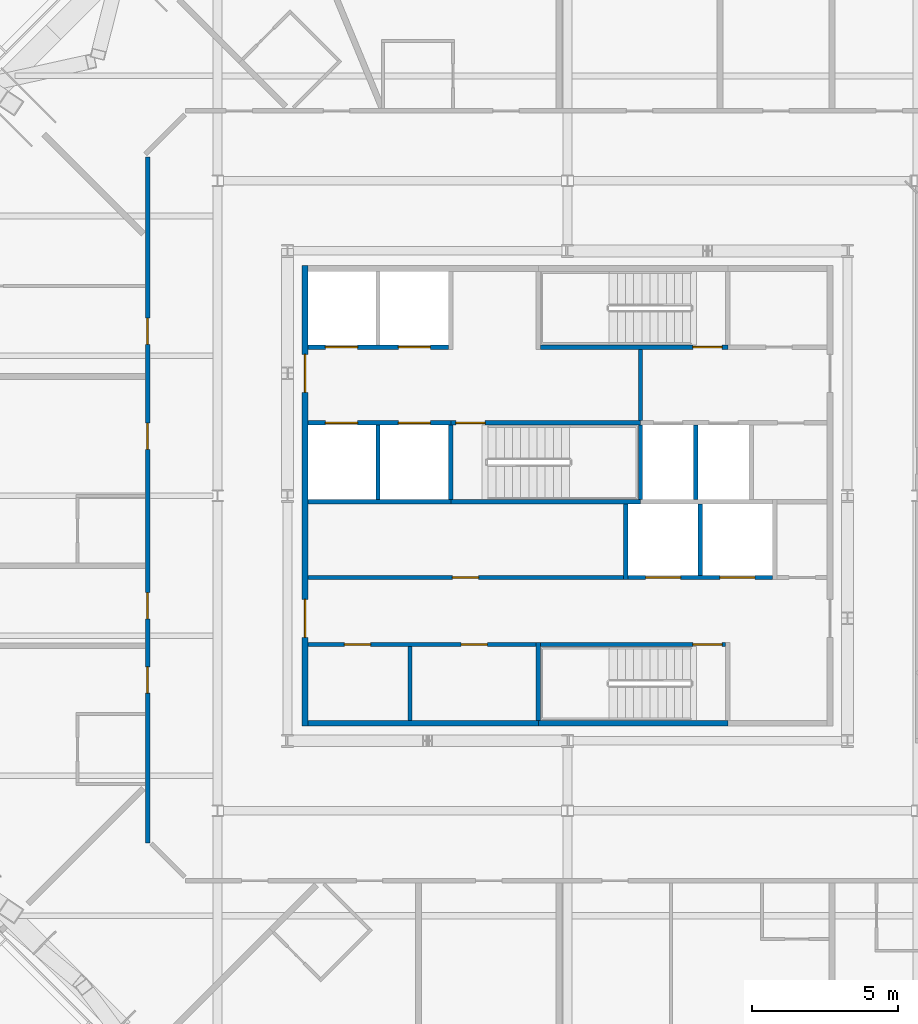
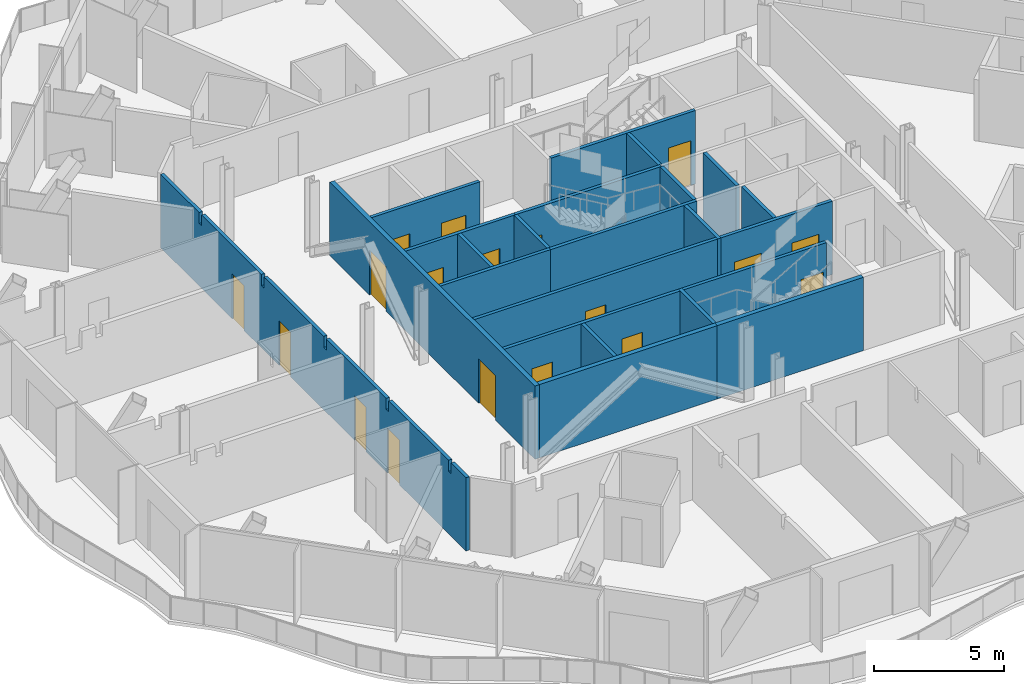
# One storey, part 8 of 19: 23 walls, 18 doors, 18 openings.
"""IFC4 building model written with IfcOpenShell, lengths in metres."""

from ifc_helpers import new_model, si_unit, direction, frame, frame_2d, origin, place, context, subcontext, project, spatial, polyline, rectangle, outline, extrude, material, layer, layer_set, type_object, element, fill, save


model = new_model("IFC4")

# Units and contexts
model_context = context("Model", 3, precision=1e-05, world=origin(), true_north=direction((0.0, 1.0)))
body_context = subcontext(model_context, "Body", "Model", "MODEL_VIEW")
ifc_project = project(units=[si_unit("LENGTHUNIT", "METRE"), si_unit("AREAUNIT", "SQUARE_METRE"), si_unit("VOLUMEUNIT", "CUBIC_METRE"), si_unit("PLANEANGLEUNIT", "RADIAN"), si_unit("MASSUNIT", "GRAM", prefix="KILO")], contexts=[model_context])

# Site, building, storey
site_placement = place(None, origin())
site = spatial("IfcSite", under=ifc_project, at=site_placement, CompositionType="ELEMENT")
building_placement = place(site_placement, origin())
building = spatial("IfcBuilding", under=site, at=building_placement, Name="Cairn Pilgrim Tower", CompositionType="ELEMENT")
storey_placement = place(building_placement, frame((0.0, 0.0, 186.60009765625)))
storey = spatial("IfcBuildingStorey", under=building, at=storey_placement, Name="L47", CompositionType="ELEMENT", Elevation=186.60009765625)

# Wall
ifc_material_1 = material(Name="Concrete C32/40", Category="concrete")
ifc_layer_1 = layer(ifc_material_1, 0.199951171875)
ifc_layer_set_1 = layer_set([ifc_layer_1], Name="CORE OUTER WALL 200 EI 120")
wall_type_1 = type_object("IfcWallType", Name="CORE OUTER WALL 200 EI 120", PredefinedType="SOLIDWALL", material=ifc_layer_set_1)
wall_1_placement = place(storey_placement, frame((-1.699951171875, -5.39990234375, 0.0), z_axis=(0.0, 0.0, 1.0), x_axis=(1.0, 0.0, 0.0)))
element("IfcWall", 1, at=wall_1_placement, inside=storey, type_object=wall_type_1, Name="CW:L47:H01-1", PredefinedType="SOLIDWALL", context=body_context, shape_type="SweptSolid", body=[
    extrude(rectangle(XDim=7.89990234375, YDim=0.199951171875, at=frame_2d((3.949951171875, 0.0))), origin(), (0.0, 0.0, 1.0), 3.449951171875),
])

# Wall, openings, doors
wall_2_placement = place(storey_placement, frame((-1.800048828125, -5.5, 0.0), z_axis=(0.0, 0.0, 1.0), x_axis=(0.0, 1.0, 0.0)))
wall_2 = element("IfcWall", 2, at=wall_2_placement, inside=storey, type_object=wall_type_1, Name="CW:L47:V13", PredefinedType="SOLIDWALL", context=body_context, shape_type="SweptSolid", body=[
    extrude(rectangle(XDim=15.800048828125, YDim=0.199951171875, at=frame_2d((7.89990234375, 0.0))), origin(), (0.0, 0.0, 1.0), 3.449951171875),
])
opening_1_placement = place(wall_2_placement, frame((3.050048828125, 0.0, 0.0)))
opening_1 = element("IfcOpeningElement", 3, at=opening_1_placement, cuts=wall_2, Name="Opening CD-W1", PredefinedType="OPENING", context=body_context, shape_type="SweptSolid", body=[
    extrude(rectangle(XDim=1.300048828125, YDim=2.10009765625, at=frame_2d((0.64990234375, 1.050048828125))), frame((0.0, 0.10986328125, 0.0), z_axis=(0.0, -1.0, 0.0), x_axis=(1.0, 0.0, 0.0)), (0.0, 0.0, 1.0), 0.219970703125),
])
opening_2_placement = place(wall_2_placement, frame((11.449951171875, 0.0, 0.0)))
opening_2 = element("IfcOpeningElement", 4, at=opening_2_placement, cuts=wall_2, Name="Opening CD-W2", PredefinedType="OPENING", context=body_context, shape_type="SweptSolid", body=[
    extrude(rectangle(XDim=1.300048828125, YDim=2.10009765625, at=frame_2d((0.64990234375, 1.050048828125))), frame((0.0, 0.10986328125, 0.0), z_axis=(0.0, -1.0, 0.0), x_axis=(1.0, 0.0, 0.0)), (0.0, 0.0, 1.0), 0.219970703125),
])
ifc_material_2 = material(Name="Painted steel", Category="steel")
door_type_1 = type_object("IfcDoorType", Name="CORE LOBBY DOOR 1300x2100", OperationType="DOUBLE_DOOR_SINGLE_SWING", PredefinedType="DOOR", material=ifc_material_2)
door_1_placement = place(opening_1_placement, origin())
door_1 = element("IfcDoor", 5, at=door_1_placement, inside=storey, type_object=door_type_1, Name="CD-W1", OperationType="DOUBLE_DOOR_SINGLE_SWING", OverallHeight=2.10009765625, OverallWidth=1.300048828125, PredefinedType="DOOR", context=body_context, shape_type="SweptSolid", body=[
    extrude(rectangle(XDim=1.300048828125, YDim=2.10009765625, at=frame_2d((0.64990234375, 1.050048828125))), frame((0.0, 0.02490234375, 0.0), z_axis=(0.0, -1.0, 0.0), x_axis=(1.0, 0.0, 0.0)), (0.0, 0.0, 1.0), 0.050048828125),
])
fill(opening_1, door_1)
door_2_placement = place(opening_2_placement, origin())
door_2 = element("IfcDoor", 6, at=door_2_placement, inside=storey, type_object=door_type_1, Name="CD-W2", OperationType="DOUBLE_DOOR_SINGLE_SWING", OverallHeight=2.10009765625, OverallWidth=1.300048828125, PredefinedType="DOOR", context=body_context, shape_type="SweptSolid", body=[
    extrude(rectangle(XDim=1.300048828125, YDim=2.10009765625, at=frame_2d((0.64990234375, 1.050048828125))), frame((0.0, 0.02490234375, 0.0), z_axis=(0.0, -1.0, 0.0), x_axis=(1.0, 0.0, 0.0)), (0.0, 0.0, 1.0), 0.050048828125),
])
fill(opening_2, door_2)

ifc_layer_2 = layer(ifc_material_1, 0.14990234375)
ifc_layer_set_2 = layer_set([ifc_layer_2], Name="CORE PARTITION 150 EI 60")
wall_type_2 = type_object("IfcWallType", Name="CORE PARTITION 150 EI 60", PredefinedType="PARTITIONING", material=ifc_layer_set_2)
wall_3_placement = place(storey_placement, frame((-1.699951171875, -2.699951171875, 0.0), z_axis=(0.0, 0.0, 1.0), x_axis=(1.0, 0.0, 0.0)))
wall_3 = element("IfcWall", 7, at=wall_3_placement, inside=storey, type_object=wall_type_2, Name="CW:L47:H02", PredefinedType="PARTITIONING", context=body_context, shape_type="SweptSolid", body=[
    extrude(rectangle(XDim=7.824951171875, YDim=0.14990234375, at=frame_2d((3.91259765625, 0.0))), origin(), (0.0, 0.0, 1.0), 3.449951171875),
])
opening_3_placement = place(wall_3_placement, frame((1.25, 0.0, 0.0)))
opening_3 = element("IfcOpeningElement", 8, at=opening_3_placement, cuts=wall_3, Name="Opening RD-R1W1", PredefinedType="OPENING", context=body_context, shape_type="SweptSolid", body=[
    extrude(rectangle(XDim=0.89990234375, YDim=2.10009765625, at=frame_2d((0.449951171875, 1.050048828125))), frame((0.0, 0.0849609375, 0.0), z_axis=(0.0, -1.0, 0.0), x_axis=(1.0, 0.0, 0.0)), (0.0, 0.0, 1.0), 0.169921875),
])
opening_4_placement = place(wall_3_placement, frame((5.25, 0.0, 0.0)))
opening_4 = element("IfcOpeningElement", 9, at=opening_4_placement, cuts=wall_3, Name="Opening RD-R1W2", PredefinedType="OPENING", context=body_context, shape_type="SweptSolid", body=[
    extrude(rectangle(XDim=0.89990234375, YDim=2.10009765625, at=frame_2d((0.449951171875, 1.050048828125))), frame((0.0, 0.0849609375, 0.0), z_axis=(0.0, -1.0, 0.0), x_axis=(1.0, 0.0, 0.0)), (0.0, 0.0, 1.0), 0.169921875),
])
door_type_2 = type_object("IfcDoorType", Name="SERVICE ROOM DOOR 900x2100", OperationType="SINGLE_SWING_LEFT", PredefinedType="DOOR", material=ifc_material_2)
door_3_placement = place(opening_3_placement, origin())
door_3 = element("IfcDoor", 10, at=door_3_placement, inside=storey, type_object=door_type_2, Name="RD-R1W1", OperationType="SINGLE_SWING_RIGHT", OverallHeight=2.10009765625, OverallWidth=0.89990234375, PredefinedType="DOOR", context=body_context, shape_type="SweptSolid", body=[
    extrude(rectangle(XDim=0.89990234375, YDim=2.10009765625, at=frame_2d((0.449951171875, 1.050048828125))), frame((0.0, 0.02490234375, 0.0), z_axis=(0.0, -1.0, 0.0), x_axis=(1.0, 0.0, 0.0)), (0.0, 0.0, 1.0), 0.050048828125),
])
fill(opening_3, door_3)
door_4_placement = place(opening_4_placement, origin())
door_4 = element("IfcDoor", 11, at=door_4_placement, inside=storey, type_object=door_type_2, Name="RD-R1W2", OperationType="SINGLE_SWING_LEFT", OverallHeight=2.10009765625, OverallWidth=0.89990234375, PredefinedType="DOOR", context=body_context, shape_type="SweptSolid", body=[
    extrude(rectangle(XDim=0.89990234375, YDim=2.10009765625, at=frame_2d((0.449951171875, 1.050048828125))), frame((0.0, 0.02490234375, 0.0), z_axis=(0.0, -1.0, 0.0), x_axis=(1.0, 0.0, 0.0)), (0.0, 0.0, 1.0), 0.050048828125),
])
fill(opening_4, door_4)

# Wall, opening, door
wall_4_placement = place(storey_placement, frame((-1.699951171875, -0.39990234375, 0.0), z_axis=(0.0, 0.0, 1.0), x_axis=(1.0, 0.0, 0.0)))
wall_4 = element("IfcWall", 12, at=wall_4_placement, inside=storey, type_object=wall_type_2, Name="CW:L47:H04", PredefinedType="PARTITIONING", context=body_context, shape_type="SweptSolid", body=[
    extrude(rectangle(XDim=10.824951171875, YDim=0.14990234375, at=frame_2d((5.41259765625, 0.0))), origin(), (0.0, 0.0, 1.0), 3.449951171875),
])
opening_5_placement = place(wall_4_placement, frame((4.949951171875, 0.0, 0.0)))
opening_5 = element("IfcOpeningElement", 13, at=opening_5_placement, cuts=wall_4, Name="Opening RD-R2W1", PredefinedType="OPENING", context=body_context, shape_type="SweptSolid", body=[
    extrude(rectangle(XDim=0.89990234375, YDim=2.10009765625, at=frame_2d((0.449951171875, 1.050048828125))), frame((0.0, 0.0849609375, 0.0), z_axis=(0.0, -1.0, 0.0), x_axis=(1.0, 0.0, 0.0)), (0.0, 0.0, 1.0), 0.169921875),
])
door_5_placement = place(opening_5_placement, origin())
door_5 = element("IfcDoor", 14, at=door_5_placement, inside=storey, type_object=door_type_2, Name="RD-R2W1", OperationType="SINGLE_SWING_RIGHT", OverallHeight=2.10009765625, OverallWidth=0.89990234375, PredefinedType="DOOR", context=body_context, shape_type="SweptSolid", body=[
    extrude(rectangle(XDim=0.89990234375, YDim=2.10009765625, at=frame_2d((0.449951171875, 1.050048828125))), frame((0.0, 0.02490234375, 0.0), z_axis=(0.0, -1.0, 0.0), x_axis=(1.0, 0.0, 0.0)), (0.0, 0.0, 1.0), 0.050048828125),
])
fill(opening_5, door_5)

# Wall
wall_5_placement = place(storey_placement, frame((1.800048828125, -5.300048828125, 0.0), z_axis=(0.0, 0.0, 1.0), x_axis=(0.0, 1.0, 0.0)))
element("IfcWall", 15, at=wall_5_placement, inside=storey, type_object=wall_type_2, Name="CW:L47:V16", PredefinedType="PARTITIONING", context=body_context, shape_type="SweptSolid", body=[
    extrude(rectangle(XDim=2.525146484375, YDim=0.14990234375, at=frame_2d((1.2626953125, 0.0))), origin(), (0.0, 0.0, 1.0), 3.449951171875),
])

# Wall, openings, doors
ifc_layer_3 = layer(ifc_material_1, 0.14990234375)
ifc_layer_set_3 = layer_set([ifc_layer_3], Name="CORE SHAFT WALL 150 EI 120")
wall_type_3 = type_object("IfcWallType", Name="CORE SHAFT WALL 150 EI 120", PredefinedType="SOLIDWALL", material=ifc_layer_set_3)
wall_6_placement = place(storey_placement, frame((9.27490234375, -0.39990234375, 0.0), z_axis=(0.0, 0.0, 1.0), x_axis=(1.0, 0.0, 0.0)))
wall_6 = element("IfcWall", 16, at=wall_6_placement, inside=storey, type_object=wall_type_3, Name="CW:L47:H05", PredefinedType="SOLIDWALL", context=body_context, shape_type="SweptSolid", body=[
    extrude(rectangle(XDim=4.9501953125, YDim=0.14990234375, at=frame_2d((2.47509765625, 0.0))), origin(), (0.0, 0.0, 1.0), 3.449951171875),
])
opening_6_placement = place(wall_6_placement, frame((0.60009765625, 0.0, 0.0)))
opening_6 = element("IfcOpeningElement", 17, at=opening_6_placement, cuts=wall_6, Name="Opening LD-SV1", PredefinedType="OPENING", context=body_context, shape_type="SweptSolid", body=[
    extrude(rectangle(XDim=1.199951171875, YDim=2.10009765625, at=frame_2d((0.60009765625, 1.050048828125))), frame((0.0, 0.0849609375, 0.0), z_axis=(0.0, -1.0, 0.0), x_axis=(1.0, 0.0, 0.0)), (0.0, 0.0, 1.0), 0.169921875),
])
opening_7_placement = place(wall_6_placement, frame((3.14990234375, 0.0, 0.0)))
opening_7 = element("IfcOpeningElement", 18, at=opening_7_placement, cuts=wall_6, Name="Opening LD-SV2", PredefinedType="OPENING", context=body_context, shape_type="SweptSolid", body=[
    extrude(rectangle(XDim=1.199951171875, YDim=2.10009765625, at=frame_2d((0.60009765625, 1.050048828125))), frame((0.0, 0.0849609375, 0.0), z_axis=(0.0, -1.0, 0.0), x_axis=(1.0, 0.0, 0.0)), (0.0, 0.0, 1.0), 0.169921875),
])
ifc_material_3 = material(Name="Stainless steel", Category="steel")
door_type_3 = type_object("IfcDoorType", Name="LIFT LANDING DOOR 1200x2100", OperationType="DOUBLE_DOOR_SLIDING", PredefinedType="DOOR", material=ifc_material_3)
door_6_placement = place(opening_6_placement, origin())
door_6 = element("IfcDoor", 19, at=door_6_placement, inside=storey, type_object=door_type_3, Name="LANDING DOOR SV1", OperationType="DOUBLE_DOOR_SLIDING", OverallHeight=2.10009765625, OverallWidth=1.199951171875, PredefinedType="DOOR", context=body_context, shape_type="SweptSolid", body=[
    extrude(rectangle(XDim=1.199951171875, YDim=2.10009765625, at=frame_2d((0.60009765625, 1.050048828125))), frame((0.0, 0.02490234375, 0.0), z_axis=(0.0, -1.0, 0.0), x_axis=(1.0, 0.0, 0.0)), (0.0, 0.0, 1.0), 0.050048828125),
])
fill(opening_6, door_6)
door_7_placement = place(opening_7_placement, origin())
door_7 = element("IfcDoor", 20, at=door_7_placement, inside=storey, type_object=door_type_3, Name="LANDING DOOR SV2", OperationType="DOUBLE_DOOR_SLIDING", OverallHeight=2.10009765625, OverallWidth=1.199951171875, PredefinedType="DOOR", context=body_context, shape_type="SweptSolid", body=[
    extrude(rectangle(XDim=1.199951171875, YDim=2.10009765625, at=frame_2d((0.60009765625, 1.050048828125))), frame((0.0, 0.02490234375, 0.0), z_axis=(0.0, -1.0, 0.0), x_axis=(1.0, 0.0, 0.0)), (0.0, 0.0, 1.0), 0.050048828125),
])
fill(opening_7, door_7)

# Wall
wall_7_placement = place(storey_placement, frame((-1.699951171875, 2.199951171875, 0.0), z_axis=(0.0, 0.0, 1.0), x_axis=(1.0, 0.0, 0.0)))
element("IfcWall", 21, at=wall_7_placement, inside=storey, type_object=wall_type_3, Name="CW:L47:H07-1", PredefinedType="SOLIDWALL", context=body_context, shape_type="SweptSolid", body=[
    extrude(rectangle(XDim=4.89990234375, YDim=0.14990234375, at=frame_2d((2.449951171875, 0.0))), origin(), (0.0, 0.0, 1.0), 3.449951171875),
])

# Wall, openings, doors
wall_8_placement = place(storey_placement, frame((-1.699951171875, 4.89990234375, 0.0), z_axis=(0.0, 0.0, 1.0), x_axis=(1.0, 0.0, 0.0)))
wall_8 = element("IfcWall", 22, at=wall_8_placement, inside=storey, type_object=wall_type_3, Name="CW:L47:H09-1", PredefinedType="SOLIDWALL", context=body_context, shape_type="SweptSolid", body=[
    extrude(rectangle(XDim=4.89990234375, YDim=0.14990234375, at=frame_2d((2.449951171875, 0.0))), origin(), (0.0, 0.0, 1.0), 3.449951171875),
])
opening_8_placement = place(wall_8_placement, frame((0.60009765625, 0.0, 0.0)))
opening_8 = element("IfcOpeningElement", 23, at=opening_8_placement, cuts=wall_8, Name="Opening LD-HR1", PredefinedType="OPENING", context=body_context, shape_type="SweptSolid", body=[
    extrude(rectangle(XDim=1.10009765625, YDim=2.10009765625, at=frame_2d((0.550048828125, 1.050048828125))), frame((0.0, 0.0849609375, 0.0), z_axis=(0.0, -1.0, 0.0), x_axis=(1.0, 0.0, 0.0)), (0.0, 0.0, 1.0), 0.169921875),
])
opening_9_placement = place(wall_8_placement, frame((3.10009765625, 0.0, 0.0)))
opening_9 = element("IfcOpeningElement", 24, at=opening_9_placement, cuts=wall_8, Name="Opening LD-HR2", PredefinedType="OPENING", context=body_context, shape_type="SweptSolid", body=[
    extrude(rectangle(XDim=1.10009765625, YDim=2.10009765625, at=frame_2d((0.550048828125, 1.050048828125))), frame((0.0, 0.0849609375, 0.0), z_axis=(0.0, -1.0, 0.0), x_axis=(1.0, 0.0, 0.0)), (0.0, 0.0, 1.0), 0.169921875),
])
door_type_4 = type_object("IfcDoorType", Name="LIFT LANDING DOOR 1100x2100", OperationType="DOUBLE_DOOR_SLIDING", PredefinedType="DOOR", material=ifc_material_3)
door_8_placement = place(opening_8_placement, origin())
door_8 = element("IfcDoor", 25, at=door_8_placement, inside=storey, type_object=door_type_4, Name="LANDING DOOR HR1", OperationType="DOUBLE_DOOR_SLIDING", OverallHeight=2.10009765625, OverallWidth=1.10009765625, PredefinedType="DOOR", context=body_context, shape_type="SweptSolid", body=[
    extrude(rectangle(XDim=1.10009765625, YDim=2.10009765625, at=frame_2d((0.550048828125, 1.050048828125))), frame((0.0, 0.02490234375, 0.0), z_axis=(0.0, -1.0, 0.0), x_axis=(1.0, 0.0, 0.0)), (0.0, 0.0, 1.0), 0.050048828125),
])
fill(opening_8, door_8)
door_9_placement = place(opening_9_placement, origin())
door_9 = element("IfcDoor", 26, at=door_9_placement, inside=storey, type_object=door_type_4, Name="LANDING DOOR HR2", OperationType="DOUBLE_DOOR_SLIDING", OverallHeight=2.10009765625, OverallWidth=1.10009765625, PredefinedType="DOOR", context=body_context, shape_type="SweptSolid", body=[
    extrude(rectangle(XDim=1.10009765625, YDim=2.10009765625, at=frame_2d((0.550048828125, 1.050048828125))), frame((0.0, 0.02490234375, 0.0), z_axis=(0.0, -1.0, 0.0), x_axis=(1.0, 0.0, 0.0)), (0.0, 0.0, 1.0), 0.050048828125),
])
fill(opening_9, door_9)

wall_9_placement = place(storey_placement, frame((-1.699951171875, 7.5, 0.0), z_axis=(0.0, 0.0, 1.0), x_axis=(1.0, 0.0, 0.0)))
wall_9 = element("IfcWall", 27, at=wall_9_placement, inside=storey, type_object=wall_type_3, Name="CW:L47:H10", PredefinedType="SOLIDWALL", context=body_context, shape_type="SweptSolid", body=[
    extrude(rectangle(XDim=4.824951171875, YDim=0.14990234375, at=frame_2d((2.41259765625, 0.0))), origin(), (0.0, 0.0, 1.0), 3.449951171875),
])
opening_10_placement = place(wall_9_placement, frame((0.60009765625, 0.0, 0.0)))
opening_10 = element("IfcOpeningElement", 28, at=opening_10_placement, cuts=wall_9, Name="Opening LD-HR3", PredefinedType="OPENING", context=body_context, shape_type="SweptSolid", body=[
    extrude(rectangle(XDim=1.10009765625, YDim=2.10009765625, at=frame_2d((0.550048828125, 1.050048828125))), frame((0.0, 0.0849609375, 0.0), z_axis=(0.0, -1.0, 0.0), x_axis=(1.0, 0.0, 0.0)), (0.0, 0.0, 1.0), 0.169921875),
])
opening_11_placement = place(wall_9_placement, frame((3.10009765625, 0.0, 0.0)))
opening_11 = element("IfcOpeningElement", 29, at=opening_11_placement, cuts=wall_9, Name="Opening LD-HR4", PredefinedType="OPENING", context=body_context, shape_type="SweptSolid", body=[
    extrude(rectangle(XDim=1.10009765625, YDim=2.10009765625, at=frame_2d((0.550048828125, 1.050048828125))), frame((0.0, 0.0849609375, 0.0), z_axis=(0.0, -1.0, 0.0), x_axis=(1.0, 0.0, 0.0)), (0.0, 0.0, 1.0), 0.169921875),
])
door_10_placement = place(opening_10_placement, origin())
door_10 = element("IfcDoor", 30, at=door_10_placement, inside=storey, type_object=door_type_4, Name="LANDING DOOR HR3", OperationType="DOUBLE_DOOR_SLIDING", OverallHeight=2.10009765625, OverallWidth=1.10009765625, PredefinedType="DOOR", context=body_context, shape_type="SweptSolid", body=[
    extrude(rectangle(XDim=1.10009765625, YDim=2.10009765625, at=frame_2d((0.550048828125, 1.050048828125))), frame((0.0, 0.02490234375, 0.0), z_axis=(0.0, -1.0, 0.0), x_axis=(1.0, 0.0, 0.0)), (0.0, 0.0, 1.0), 0.050048828125),
])
fill(opening_10, door_10)
door_11_placement = place(opening_11_placement, origin())
door_11 = element("IfcDoor", 31, at=door_11_placement, inside=storey, type_object=door_type_4, Name="LANDING DOOR HR4", OperationType="DOUBLE_DOOR_SLIDING", OverallHeight=2.10009765625, OverallWidth=1.10009765625, PredefinedType="DOOR", context=body_context, shape_type="SweptSolid", body=[
    extrude(rectangle(XDim=1.10009765625, YDim=2.10009765625, at=frame_2d((0.550048828125, 1.050048828125))), frame((0.0, 0.02490234375, 0.0), z_axis=(0.0, -1.0, 0.0), x_axis=(1.0, 0.0, 0.0)), (0.0, 0.0, 1.0), 0.050048828125),
])
fill(opening_11, door_11)

# Walls
wall_10_placement = place(storey_placement, frame((0.699951171875, 2.27490234375, 0.0), z_axis=(0.0, 0.0, 1.0), x_axis=(0.0, 1.0, 0.0)))
element("IfcWall", 32, at=wall_10_placement, inside=storey, type_object=wall_type_3, Name="CW:L47:V14", PredefinedType="SOLIDWALL", context=body_context, shape_type="SweptSolid", body=[
    extrude(rectangle(XDim=2.550048828125, YDim=0.14990234375, at=frame_2d((1.27490234375, 0.0))), origin(), (0.0, 0.0, 1.0), 3.449951171875),
])
wall_11_placement = place(storey_placement, frame((9.199951171875, -0.47509765625, 0.0), z_axis=(0.0, 0.0, 1.0), x_axis=(0.0, 1.0, 0.0)))
element("IfcWall", 33, at=wall_11_placement, inside=storey, type_object=wall_type_3, Name="CW:L47:V21", PredefinedType="SOLIDWALL", context=body_context, shape_type="SweptSolid", body=[
    extrude(rectangle(XDim=2.60009765625, YDim=0.14990234375, at=frame_2d((1.300048828125, 0.0))), origin(), (0.0, 0.0, 1.0), 3.449951171875),
])
wall_12_placement = place(storey_placement, frame((9.699951171875, 4.97509765625, 0.0), z_axis=(0.0, 0.0, 1.0), x_axis=(0.0, 1.0, 0.0)))
element("IfcWall", 34, at=wall_12_placement, inside=storey, type_object=wall_type_3, Name="CW:L47:V23", PredefinedType="SOLIDWALL", context=body_context, shape_type="SweptSolid", body=[
    extrude(rectangle(XDim=2.449951171875, YDim=0.14990234375, at=frame_2d((1.22509765625, 0.0))), origin(), (0.0, 0.0, 1.0), 3.449951171875),
])
wall_13_placement = place(storey_placement, frame((11.60009765625, 2.27490234375, 0.0), z_axis=(0.0, 0.0, 1.0), x_axis=(0.0, 1.0, 0.0)))
element("IfcWall", 35, at=wall_13_placement, inside=storey, type_object=wall_type_3, Name="CW:L47:V24", PredefinedType="SOLIDWALL", context=body_context, shape_type="SweptSolid", body=[
    extrude(rectangle(XDim=2.550048828125, YDim=0.14990234375, at=frame_2d((1.27490234375, 0.0))), origin(), (0.0, 0.0, 1.0), 3.449951171875),
])
wall_14_placement = place(storey_placement, frame((11.75, -0.324951171875, 0.0), z_axis=(0.0, 0.0, 1.0), x_axis=(0.0, 1.0, 0.0)))
element("IfcWall", 36, at=wall_14_placement, inside=storey, type_object=wall_type_3, Name="CW:L47:V25", PredefinedType="SOLIDWALL", context=body_context, shape_type="SweptSolid", body=[
    extrude(rectangle(XDim=2.449951171875, YDim=0.14990234375, at=frame_2d((1.22509765625, 0.0))), origin(), (0.0, 0.0, 1.0), 3.449951171875),
])

# Wall, openings, doors
ifc_material_4 = material(Name="Gypsum partition")
ifc_layer_4 = layer(ifc_material_4, 0.14990234375)
ifc_layer_set_4 = layer_set([ifc_layer_4], Name="PARTITION 150 DRYWALL EI 60")
wall_type_4 = type_object("IfcWallType", Name="PARTITION 150 DRYWALL EI 60", PredefinedType="PARTITIONING", material=ifc_layer_set_4)
wall_15_placement = place(storey_placement, frame((-7.199951171875, -9.5, 0.0), z_axis=(0.0, 0.0, 1.0), x_axis=(0.0, 1.0, 0.0)))
wall_15 = element("IfcWall", 37, at=wall_15_placement, inside=storey, type_object=wall_type_4, Name="PARTITION W023", PredefinedType="PARTITIONING", context=body_context, shape_type="SweptSolid", body=[
    extrude(outline(polyline([(0.0, 0.0), (23.512939453125, 0.0), (23.512939453125, 3.449951171875), (20.550048828125, 3.449951171875), (20.548095703125, 2.929931640625), (20.35009765625, 2.929931640625), (20.34814453125, 3.449951171875), (15.75, 3.449951171875), (15.748046875, 2.929931640625), (15.550048828125, 2.929931640625), (15.548095703125, 3.449951171875), (10.9501953125, 3.449951171875), (10.947998046875, 2.929931640625), (10.75, 2.929931640625), (10.748046875, 3.449951171875), (6.150146484375, 3.449951171875), (6.148193359375, 2.929931640625), (5.9501953125, 2.929931640625), (5.947998046875, 3.449951171875), (1.35009765625, 3.449951171875), (1.34814453125, 2.929931640625), (1.150146484375, 2.929931640625), (1.148193359375, 3.449951171875), (0.0, 3.449951171875), (0.0, 0.0)])), frame((0.0, 0.074951171875, 0.0), z_axis=(0.0, -1.0, 0.0), x_axis=(1.0, 0.0, 0.0)), (0.0, 0.0, 1.0), 0.14990234375),
])
opening_12_placement = place(wall_15_placement, frame((17.094970703125, 0.0, 0.0)))
opening_12 = element("IfcOpeningElement", 38, at=opening_12_placement, cuts=wall_15, Name="Opening 4715", PredefinedType="OPENING", context=body_context, shape_type="SweptSolid", body=[
    extrude(rectangle(XDim=0.89990234375, YDim=2.10009765625, at=frame_2d((0.449951171875, 1.050048828125))), frame((0.0, 0.0849609375, 0.0), z_axis=(0.0, -1.0, 0.0), x_axis=(1.0, 0.0, 0.0)), (0.0, 0.0, 1.0), 0.169921875),
])
opening_13_placement = place(wall_15_placement, frame((13.494140625, 0.0, 0.0)))
opening_13 = element("IfcOpeningElement", 39, at=opening_13_placement, cuts=wall_15, Name="Opening 4716", PredefinedType="OPENING", context=body_context, shape_type="SweptSolid", body=[
    extrude(rectangle(XDim=0.89990234375, YDim=2.10009765625, at=frame_2d((0.449951171875, 1.050048828125))), frame((0.0, 0.0849609375, 0.0), z_axis=(0.0, -1.0, 0.0), x_axis=(1.0, 0.0, 0.0)), (0.0, 0.0, 1.0), 0.169921875),
])
opening_14_placement = place(wall_15_placement, frame((7.68017578125, 0.0, 0.0)))
opening_14 = element("IfcOpeningElement", 40, at=opening_14_placement, cuts=wall_15, Name="Opening 4717", PredefinedType="OPENING", context=body_context, shape_type="SweptSolid", body=[
    extrude(rectangle(XDim=0.89990234375, YDim=2.10009765625, at=frame_2d((0.449951171875, 1.050048828125))), frame((0.0, 0.0849609375, 0.0), z_axis=(0.0, -1.0, 0.0), x_axis=(1.0, 0.0, 0.0)), (0.0, 0.0, 1.0), 0.169921875),
])
opening_15_placement = place(wall_15_placement, frame((5.136962890625, 0.0, 0.0)))
opening_15 = element("IfcOpeningElement", 41, at=opening_15_placement, cuts=wall_15, Name="Opening 4718", PredefinedType="OPENING", context=body_context, shape_type="SweptSolid", body=[
    extrude(rectangle(XDim=0.89990234375, YDim=2.10009765625, at=frame_2d((0.449951171875, 1.050048828125))), frame((0.0, 0.0849609375, 0.0), z_axis=(0.0, -1.0, 0.0), x_axis=(1.0, 0.0, 0.0)), (0.0, 0.0, 1.0), 0.169921875),
])
ifc_material_5 = material(Name="Timber door leaf", Category="wood")
door_type_5 = type_object("IfcDoorType", Name="ROOM DOOR 900x2100 FD30S", OperationType="NOTDEFINED", PredefinedType="DOOR", material=ifc_material_5)
door_12_placement = place(opening_12_placement, origin())
door_12 = element("IfcDoor", 42, at=door_12_placement, inside=storey, type_object=door_type_5, Name="DOOR 4715", OperationType="SINGLE_SWING_LEFT", OverallHeight=2.10009765625, OverallWidth=0.89990234375, PredefinedType="DOOR", context=body_context, shape_type="SweptSolid", body=[
    extrude(rectangle(XDim=0.89990234375, YDim=2.10009765625, at=frame_2d((0.449951171875, 1.050048828125))), frame((0.0, 0.02490234375, 0.0), z_axis=(0.0, -1.0, 0.0), x_axis=(1.0, 0.0, 0.0)), (0.0, 0.0, 1.0), 0.050048828125),
])
fill(opening_12, door_12)
door_13_placement = place(opening_13_placement, origin())
door_13 = element("IfcDoor", 43, at=door_13_placement, inside=storey, type_object=door_type_5, Name="DOOR 4716", OperationType="SINGLE_SWING_LEFT", OverallHeight=2.10009765625, OverallWidth=0.89990234375, PredefinedType="DOOR", context=body_context, shape_type="SweptSolid", body=[
    extrude(rectangle(XDim=0.89990234375, YDim=2.10009765625, at=frame_2d((0.449951171875, 1.050048828125))), frame((0.0, 0.02490234375, 0.0), z_axis=(0.0, -1.0, 0.0), x_axis=(1.0, 0.0, 0.0)), (0.0, 0.0, 1.0), 0.050048828125),
])
fill(opening_13, door_13)
door_14_placement = place(opening_14_placement, origin())
door_14 = element("IfcDoor", 44, at=door_14_placement, inside=storey, type_object=door_type_5, Name="DOOR 4717", OperationType="SINGLE_SWING_LEFT", OverallHeight=2.10009765625, OverallWidth=0.89990234375, PredefinedType="DOOR", context=body_context, shape_type="SweptSolid", body=[
    extrude(rectangle(XDim=0.89990234375, YDim=2.10009765625, at=frame_2d((0.449951171875, 1.050048828125))), frame((0.0, 0.02490234375, 0.0), z_axis=(0.0, -1.0, 0.0), x_axis=(1.0, 0.0, 0.0)), (0.0, 0.0, 1.0), 0.050048828125),
])
fill(opening_14, door_14)
door_15_placement = place(opening_15_placement, origin())
door_15 = element("IfcDoor", 45, at=door_15_placement, inside=storey, type_object=door_type_5, Name="DOOR 4718", OperationType="SINGLE_SWING_LEFT", OverallHeight=2.10009765625, OverallWidth=0.89990234375, PredefinedType="DOOR", context=body_context, shape_type="SweptSolid", body=[
    extrude(rectangle(XDim=0.89990234375, YDim=2.10009765625, at=frame_2d((0.449951171875, 1.050048828125))), frame((0.0, 0.02490234375, 0.0), z_axis=(0.0, -1.0, 0.0), x_axis=(1.0, 0.0, 0.0)), (0.0, 0.0, 1.0), 0.050048828125),
])
fill(opening_15, door_15)

# Wall, opening, door
ifc_material_6 = material(Name="Concrete C35/45", Category="concrete")
ifc_layer_5 = layer(ifc_material_6, 0.14990234375)
ifc_layer_set_5 = layer_set([ifc_layer_5], Name="STAIR SHAFT WALL 150 EI 120")
wall_type_5 = type_object("IfcWallType", Name="STAIR SHAFT WALL 150 EI 120", PredefinedType="SOLIDWALL", material=ifc_layer_set_5)
wall_16_placement = place(storey_placement, frame((6.27490234375, -2.699951171875, 0.0), z_axis=(0.0, 0.0, 1.0), x_axis=(1.0, 0.0, 0.0)))
wall_16 = element("IfcWall", 46, at=wall_16_placement, inside=storey, type_object=wall_type_5, Name="CW:L47:H03", PredefinedType="SOLIDWALL", context=body_context, shape_type="SweptSolid", body=[
    extrude(rectangle(XDim=6.35009765625, YDim=0.14990234375, at=frame_2d((3.175048828125, 0.0))), origin(), (0.0, 0.0, 1.0), 3.449951171875),
])
opening_16_placement = place(wall_16_placement, frame((5.22509765625, 0.0, 0.0)))
opening_16 = element("IfcOpeningElement", 47, at=opening_16_placement, cuts=wall_16, Name="Opening SD-A", PredefinedType="OPENING", context=body_context, shape_type="SweptSolid", body=[
    extrude(rectangle(XDim=1.0, YDim=2.10009765625, at=frame_2d((0.5, 1.050048828125))), frame((0.0, 0.0849609375, 0.0), z_axis=(0.0, -1.0, 0.0), x_axis=(1.0, 0.0, 0.0)), (0.0, 0.0, 1.0), 0.169921875),
])
door_type_6 = type_object("IfcDoorType", Name="STAIR DOOR FD60S 1000x2100", OperationType="SINGLE_SWING_LEFT", PredefinedType="DOOR", material=ifc_material_2)
door_16_placement = place(opening_16_placement, origin())
door_16 = element("IfcDoor", 48, at=door_16_placement, inside=storey, type_object=door_type_6, Name="SD-A", OperationType="SINGLE_SWING_RIGHT", OverallHeight=2.10009765625, OverallWidth=1.0, PredefinedType="DOOR", context=body_context, shape_type="SweptSolid", body=[
    extrude(rectangle(XDim=1.0, YDim=2.10009765625, at=frame_2d((0.5, 1.050048828125))), frame((0.0, 0.02490234375, 0.0), z_axis=(0.0, -1.0, 0.0), x_axis=(1.0, 0.0, 0.0)), (0.0, 0.0, 1.0), 0.050048828125),
])
fill(opening_16, door_16)

# Wall
wall_17_placement = place(storey_placement, frame((3.199951171875, 2.199951171875, 0.0), z_axis=(0.0, 0.0, 1.0), x_axis=(1.0, 0.0, 0.0)))
element("IfcWall", 49, at=wall_17_placement, inside=storey, type_object=wall_type_5, Name="CW:L47:H07-2", PredefinedType="SOLIDWALL", context=body_context, shape_type="SweptSolid", body=[
    extrude(rectangle(XDim=6.5, YDim=0.14990234375, at=frame_2d((3.25, 0.0))), origin(), (0.0, 0.0, 1.0), 3.449951171875),
])

# Wall, opening, door
wall_18_placement = place(storey_placement, frame((3.199951171875, 4.89990234375, 0.0), z_axis=(0.0, 0.0, 1.0), x_axis=(1.0, 0.0, 0.0)))
wall_18 = element("IfcWall", 50, at=wall_18_placement, inside=storey, type_object=wall_type_5, Name="CW:L47:H09-2", PredefinedType="SOLIDWALL", context=body_context, shape_type="SweptSolid", body=[
    extrude(rectangle(XDim=6.5, YDim=0.14990234375, at=frame_2d((3.25, 0.0))), origin(), (0.0, 0.0, 1.0), 3.449951171875),
])
opening_17_placement = place(wall_18_placement, frame((0.175048828125, 0.0, 0.0)))
opening_17 = element("IfcOpeningElement", 51, at=opening_17_placement, cuts=wall_18, Name="Opening SD-B", PredefinedType="OPENING", context=body_context, shape_type="SweptSolid", body=[
    extrude(rectangle(XDim=1.0, YDim=2.10009765625, at=frame_2d((0.5, 1.050048828125))), frame((0.0, 0.0849609375, 0.0), z_axis=(0.0, -1.0, 0.0), x_axis=(1.0, 0.0, 0.0)), (0.0, 0.0, 1.0), 0.169921875),
])
door_17_placement = place(opening_17_placement, origin())
door_17 = element("IfcDoor", 52, at=door_17_placement, inside=storey, type_object=door_type_6, Name="SD-B", OperationType="SINGLE_SWING_LEFT", OverallHeight=2.10009765625, OverallWidth=1.0, PredefinedType="DOOR", context=body_context, shape_type="SweptSolid", body=[
    extrude(rectangle(XDim=1.0, YDim=2.10009765625, at=frame_2d((0.5, 1.050048828125))), frame((0.0, 0.02490234375, 0.0), z_axis=(0.0, -1.0, 0.0), x_axis=(1.0, 0.0, 0.0)), (0.0, 0.0, 1.0), 0.050048828125),
])
fill(opening_17, door_17)

wall_19_placement = place(storey_placement, frame((6.27490234375, 7.5, 0.0), z_axis=(0.0, 0.0, 1.0), x_axis=(1.0, 0.0, 0.0)))
wall_19 = element("IfcWall", 53, at=wall_19_placement, inside=storey, type_object=wall_type_5, Name="CW:L47:H11-1", PredefinedType="SOLIDWALL", context=body_context, shape_type="SweptSolid", body=[
    extrude(rectangle(XDim=6.425048828125, YDim=0.14990234375, at=frame_2d((3.21240234375, 0.0))), origin(), (0.0, 0.0, 1.0), 3.449951171875),
])
opening_18_placement = place(wall_19_placement, frame((5.22509765625, 0.0, 0.0)))
opening_18 = element("IfcOpeningElement", 54, at=opening_18_placement, cuts=wall_19, Name="Opening SD-C", PredefinedType="OPENING", context=body_context, shape_type="SweptSolid", body=[
    extrude(rectangle(XDim=1.0, YDim=2.10009765625, at=frame_2d((0.5, 1.050048828125))), frame((0.0, 0.0849609375, 0.0), z_axis=(0.0, -1.0, 0.0), x_axis=(1.0, 0.0, 0.0)), (0.0, 0.0, 1.0), 0.169921875),
])
door_18_placement = place(opening_18_placement, origin())
door_18 = element("IfcDoor", 55, at=door_18_placement, inside=storey, type_object=door_type_6, Name="SD-C", OperationType="SINGLE_SWING_RIGHT", OverallHeight=2.10009765625, OverallWidth=1.0, PredefinedType="DOOR", context=body_context, shape_type="SweptSolid", body=[
    extrude(rectangle(XDim=1.0, YDim=2.10009765625, at=frame_2d((0.5, 1.050048828125))), frame((0.0, 0.02490234375, 0.0), z_axis=(0.0, -1.0, 0.0), x_axis=(1.0, 0.0, 0.0)), (0.0, 0.0, 1.0), 0.050048828125),
])
fill(opening_18, door_18)

# Walls
wall_20_placement = place(storey_placement, frame((3.199951171875, 2.27490234375, 0.0), z_axis=(0.0, 0.0, 1.0), x_axis=(0.0, 1.0, 0.0)))
element("IfcWall", 56, at=wall_20_placement, inside=storey, type_object=wall_type_5, Name="CW:L47:V17", PredefinedType="SOLIDWALL", context=body_context, shape_type="SweptSolid", body=[
    extrude(rectangle(XDim=2.550048828125, YDim=0.14990234375, at=frame_2d((1.27490234375, 0.0))), origin(), (0.0, 0.0, 1.0), 3.449951171875),
])
wall_21_placement = place(storey_placement, frame((6.199951171875, -5.300048828125, 0.0), z_axis=(0.0, 0.0, 1.0), x_axis=(0.0, 1.0, 0.0)))
element("IfcWall", 57, at=wall_21_placement, inside=storey, type_object=wall_type_5, Name="CW:L47:V19", PredefinedType="SOLIDWALL", context=body_context, shape_type="SweptSolid", body=[
    extrude(rectangle(XDim=2.675048828125, YDim=0.14990234375, at=frame_2d((1.33740234375, 0.0))), origin(), (0.0, 0.0, 1.0), 3.449951171875),
])
wall_22_placement = place(storey_placement, frame((9.699951171875, 2.27490234375, 0.0), z_axis=(0.0, 0.0, 1.0), x_axis=(0.0, 1.0, 0.0)))
element("IfcWall", 58, at=wall_22_placement, inside=storey, type_object=wall_type_5, Name="CW:L47:V22", PredefinedType="SOLIDWALL", context=body_context, shape_type="SweptSolid", body=[
    extrude(rectangle(XDim=2.550048828125, YDim=0.14990234375, at=frame_2d((1.27490234375, 0.0))), origin(), (0.0, 0.0, 1.0), 3.449951171875),
])
ifc_layer_6 = layer(ifc_material_6, 0.199951171875)
ifc_layer_set_6 = layer_set([ifc_layer_6], Name="STAIR SHAFT WALL 200 EI 120")
wall_type_6 = type_object("IfcWallType", Name="STAIR SHAFT WALL 200 EI 120", PredefinedType="SOLIDWALL", material=ifc_layer_set_6)
wall_23_placement = place(storey_placement, frame((6.199951171875, -5.39990234375, 0.0), z_axis=(0.0, 0.0, 1.0), x_axis=(1.0, 0.0, 0.0)))
element("IfcWall", 59, at=wall_23_placement, inside=storey, type_object=wall_type_6, Name="CW:L47:H01-2", PredefinedType="SOLIDWALL", context=body_context, shape_type="SweptSolid", body=[
    extrude(rectangle(XDim=6.5, YDim=0.199951171875, at=frame_2d((3.25, 0.0))), origin(), (0.0, 0.0, 1.0), 3.449951171875),
])

save(model, "model.ifc")
